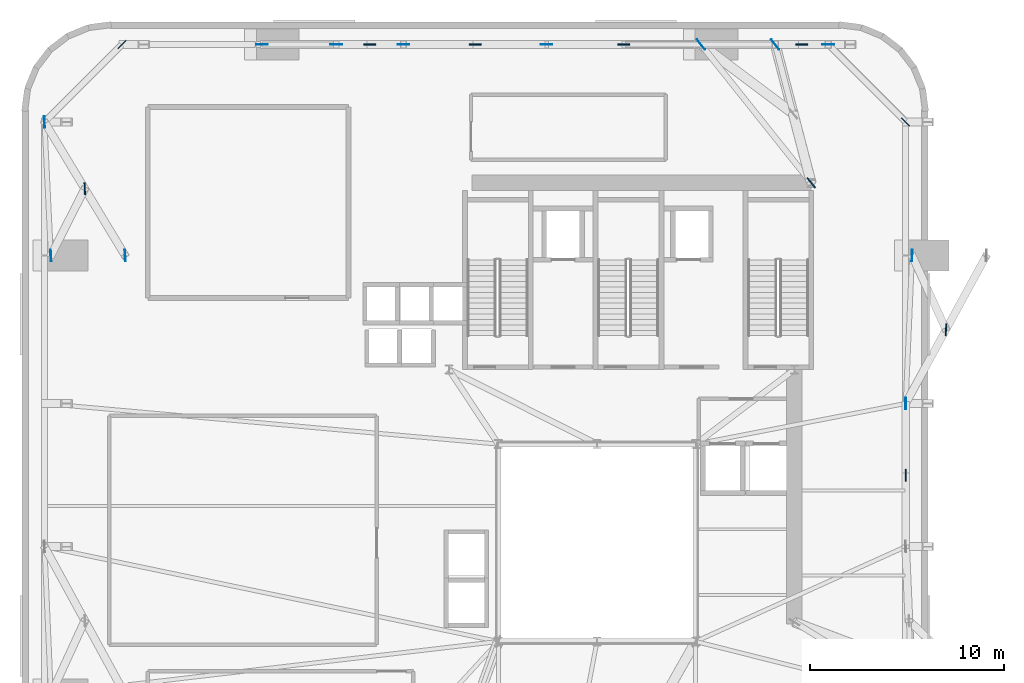
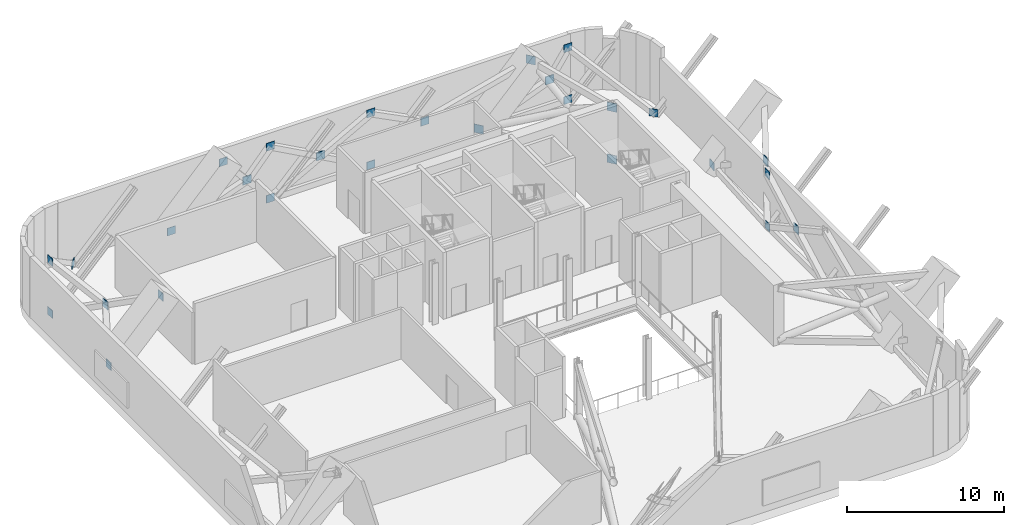
# One storey, part 6 of 12: 28 plates.
"""IFC4 building model written with IfcOpenShell, lengths in metres."""

from ifc_helpers import new_model, si_unit, direction, frame, origin, origin_2d, place, context, subcontext, project, spatial, rectangle, extrude, source, transform, mapped, material, layer, layer_set, type_object, element, save


model = new_model("IFC4")

# Units and contexts
model_context = context("Model", 3, precision=1e-05, world=origin(), true_north=direction((0.0, 1.0)))
body_context = subcontext(model_context, "Body", "Model", "MODEL_VIEW")
ifc_project = project(units=[si_unit("LENGTHUNIT", "METRE"), si_unit("AREAUNIT", "SQUARE_METRE"), si_unit("VOLUMEUNIT", "CUBIC_METRE"), si_unit("PLANEANGLEUNIT", "RADIAN"), si_unit("MASSUNIT", "GRAM", prefix="KILO")], contexts=[model_context])

# Site, building, storey
site_placement = place(None, origin())
site = spatial("IfcSite", under=ifc_project, at=site_placement, CompositionType="ELEMENT")
building_placement = place(site_placement, origin())
building = spatial("IfcBuilding", under=site, at=building_placement, Name="Vardaveli Station Tower", CompositionType="ELEMENT")
storey_placement = place(building_placement, frame((0.0, 0.0, 166.800048828125)))
storey = spatial("IfcBuildingStorey", under=building, at=storey_placement, Name="L43", CompositionType="ELEMENT", Elevation=166.800048828125)

# Plates
ifc_material = material(Name="Structural steel S460M", Category="steel")
ifc_layer_1 = layer(ifc_material, 0.06005859375, Name="Structural steel S460M")
ifc_layer_set_1 = layer_set([ifc_layer_1], Name="Structural steel S460M")
plate_type_1 = type_object("IfcPlateType", Name="PLT-GUSSET-60", PredefinedType="USERDEFINED", material=ifc_layer_set_1)
shared_shape_1 = source(origin(), body_context, "Body", "SweptSolid", [
    extrude(rectangle(XDim=0.64990234375, YDim=0.06005859375, at=origin_2d()), origin(), (0.0, 0.0, 1.0), 0.64990234375),
])
for number, where, z_axis, x_axis, name in (
    (1, (47.3701171875, 40.300048828125, 0.02490234375), (0.0, 0.0, 1.0), (-0.623197353969, 0.782064612424, 0.0), "PLT-L43-OA4-CB"),
    (2, (47.3701171875, 40.300048828125, 4.074951171875), (0.0, 0.0, 1.0), (-0.623197353969, 0.782064612424, 0.0), "PLT-L43-OA4-CT"),
):
    element("IfcPlate", number, at=place(storey_placement, frame(where, z_axis=z_axis, x_axis=x_axis)), inside=storey, type_object=plate_type_1, Name=name, ObjectType="GUSSET PLATE", PredefinedType="USERDEFINED", context=body_context, shape_type="MappedRepresentation", body=[
        mapped(shared_shape_1, transform((0.0, 0.0, 0.0), scale=1.0)),
    ])
ifc_layer_2 = layer(ifc_material, 0.0400390625, Name="Structural steel S460M")
ifc_layer_set_2 = layer_set([ifc_layer_2], Name="Structural steel S460M")
plate_type_2 = type_object("IfcPlateType", Name="PLT-CAP-40", PredefinedType="USERDEFINED", material=ifc_layer_set_2)
shared_shape_2 = source(origin(), body_context, "Body", "SweptSolid", [
    extrude(rectangle(XDim=0.64990234375, YDim=0.0400390625, at=origin_2d()), origin(), (0.0, 0.0, 1.0), 0.64990234375),
])
for number, where, z_axis, x_axis, name in (
    (3, (41.671630859375, 47.449951171875, 0.02490234375), (0.0, 0.0, 1.0), (-0.623197353969, 0.782064612424, 0.0), "PLT-L43-OA4-MB"),
    (4, (45.50830078125, 47.449951171875, 4.074951171875), (0.0, 0.0, 1.0), (-0.623197353969, 0.782064612424, 0.0), "PLT-L43-OA4-MT"),
):
    element("IfcPlate", number, at=place(storey_placement, frame(where, z_axis=z_axis, x_axis=x_axis)), inside=storey, type_object=plate_type_2, Name=name, ObjectType="GUSSET PLATE", PredefinedType="USERDEFINED", context=body_context, shape_type="MappedRepresentation", body=[
        mapped(shared_shape_2, transform((0.0, 0.0, 0.0), scale=1.0)),
    ])
shared_shape_3 = source(origin(), body_context, "Body", "SweptSolid", [
    extrude(rectangle(XDim=0.6201171875, YDim=0.06005859375, at=origin_2d()), origin(), (0.0, 0.0, 1.0), 0.6201171875),
])
for number, where, z_axis, x_axis, name in (
    (5, (52.25, 25.199951171875, 2.06494140625), (0.0, 0.0, 1.0), (0.0, 1.0, 0.0), "PLT-L43-BLTX-07"),
    (6, (54.334228515625, 32.719970703125, 2.06494140625), (0.0, 0.0, 1.0), (0.043445019893, 0.999055819385, 0.0), "PLT-L43-BLTX-08"),
    (7, (46.879150390625, 47.449951171875, 2.06494140625), (0.0, 0.0, 1.0), (-1.0, 0.0, 0.0), "PLT-L43-BLTX-09"),
    (8, (37.685791015625, 47.449951171875, 2.06494140625), (0.0, 0.0, 1.0), (-1.0, 0.0, 0.0), "PLT-L43-BLTX-10"),
    (9, (30.0, 47.449951171875, 2.06494140625), (0.0, 0.0, 1.0), (-1.0, 0.0, 0.0), "PLT-L43-BLTX-11"),
    (10, (24.564208984375, 47.449951171875, 2.06494140625), (0.0, 0.0, 1.0), (-1.0, 0.0, 0.0), "PLT-L43-BLTX-12"),
    (11, (9.834228515625, 39.9951171875, 2.06494140625), (0.0, 0.0, 1.0), (0.047978128521, -0.998848386485, 0.0), "PLT-L43-BLTX-13"),
):
    element("IfcPlate", number, at=place(storey_placement, frame(where, z_axis=z_axis, x_axis=x_axis)), inside=storey, type_object=plate_type_1, Name=name, ObjectType="GUSSET PLATE", PredefinedType="USERDEFINED", context=body_context, shape_type="MappedRepresentation", body=[
        mapped(shared_shape_3, transform((0.0, 0.0, 0.0), scale=1.0)),
    ])
shared_shape_4 = source(origin(), body_context, "Body", "SweptSolid", [
    extrude(rectangle(XDim=0.60009765625, YDim=0.0400390625, at=origin_2d()), origin(), (0.0, 0.0, 1.0), 0.60009765625),
])
for number, where, z_axis, x_axis, name in (
    (12, (52.25, 28.89990234375, 0.0498046875), (0.0, 0.0, 1.0), (0.0, 1.0, 0.0), "PLT-L43-BLTBB-07"),
    (13, (52.25, 28.89990234375, 4.099853515625), (0.0, 0.0, 1.0), (0.0, 1.0, 0.0), "PLT-L43-BLTBT-07"),
    (14, (52.58154296875, 36.5400390625, 0.0498046875), (0.0, 0.0, 1.0), (0.043445019893, 0.999055819385, 0.0), "PLT-L43-BLTBB-08"),
    (15, (48.25, 47.449951171875, 0.0498046875), (0.0, 0.0, 1.0), (-1.0, 0.0, 0.0), "PLT-L43-BLTAB-09"),
    (16, (48.25, 47.449951171875, 4.099853515625), (0.0, 0.0, 1.0), (-1.0, 0.0, 0.0), "PLT-L43-BLTAT-09"),
    (17, (33.699951171875, 47.449951171875, 0.0498046875), (0.0, 0.0, 1.0), (-1.0, 0.0, 0.0), "PLT-L43-BLTBB-10"),
    (18, (33.699951171875, 47.449951171875, 4.099853515625), (0.0, 0.0, 1.0), (-1.0, 0.0, 0.0), "PLT-L43-BLTBT-10"),
    (19, (26.300048828125, 47.449951171875, 0.0498046875), (0.0, 0.0, 1.0), (-1.0, 0.0, 0.0), "PLT-L43-BLTBB-11"),
    (20, (26.300048828125, 47.449951171875, 4.099853515625), (0.0, 0.0, 1.0), (-1.0, 0.0, 0.0), "PLT-L43-BLTBT-11"),
    (21, (18.99169921875, 47.449951171875, 0.0498046875), (0.0, 0.0, 1.0), (-1.0, 0.0, 0.0), "PLT-L43-BLTBB-12"),
    (22, (22.828369140625, 47.449951171875, 4.099853515625), (0.0, 0.0, 1.0), (-1.0, 0.0, 0.0), "PLT-L43-BLTBT-12"),
    (23, (7.75, 43.449951171875, 0.0498046875), (0.0, 0.0, 1.0), (0.047978128521, -0.998848386485, 0.0), "PLT-L43-BLTAB-13"),
    (24, (8.08154296875, 36.5400390625, 0.0498046875), (0.0, 0.0, 1.0), (0.047978128521, -0.998848386485, 0.0), "PLT-L43-BLTBB-13"),
    (25, (7.75, 43.449951171875, 4.099853515625), (0.0, 0.0, 1.0), (0.047978128521, -0.998848386485, 0.0), "PLT-L43-BLTAT-13"),
    (26, (11.91845703125, 36.5400390625, 4.099853515625), (0.0, 0.0, 1.0), (0.047978128521, -0.998848386485, 0.0), "PLT-L43-BLTBT-13"),
):
    element("IfcPlate", number, at=place(storey_placement, frame(where, z_axis=z_axis, x_axis=x_axis)), inside=storey, type_object=plate_type_2, Name=name, ObjectType="GUSSET PLATE", PredefinedType="USERDEFINED", context=body_context, shape_type="MappedRepresentation", body=[
        mapped(shared_shape_4, transform((0.0, 0.0, 0.0), scale=1.0)),
    ])
shared_shape_5 = source(origin(), body_context, "Body", "SweptSolid", [
    extrude(rectangle(XDim=0.580078125, YDim=0.0400390625, at=origin_2d()), origin(), (0.0, 0.0, 1.0), 0.580078125),
])
for number, where, z_axis, x_axis, name in (
    (27, (52.25, 43.449951171875, 0.059814453125), (0.0, 0.0, 1.0), (-0.707106781187, 0.707106781187, 0.0), "PLT-L43-STRB-3"),
    (28, (11.75, 47.449951171875, 0.059814453125), (0.0, 0.0, 1.0), (-0.707106781187, -0.707106781187, 0.0), "PLT-L43-STRB-4"),
):
    element("IfcPlate", number, at=place(storey_placement, frame(where, z_axis=z_axis, x_axis=x_axis)), inside=storey, type_object=plate_type_2, Name=name, ObjectType="GUSSET PLATE", PredefinedType="USERDEFINED", context=body_context, shape_type="MappedRepresentation", body=[
        mapped(shared_shape_5, transform((0.0, 0.0, 0.0), scale=1.0)),
    ])

save(model, "model.ifc")
